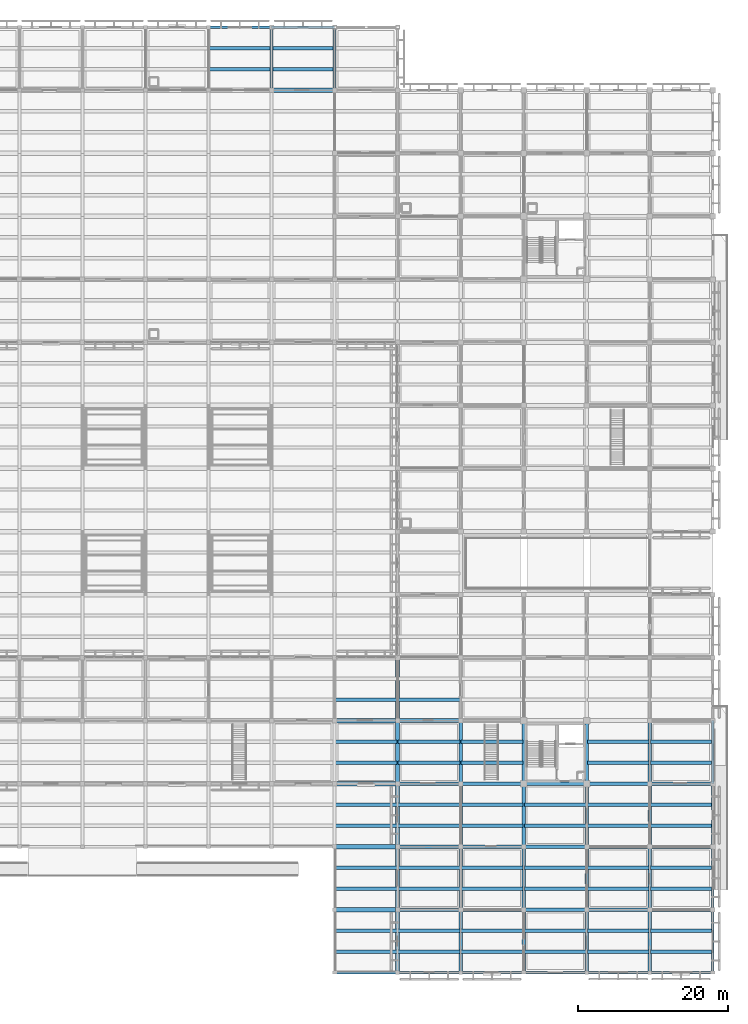
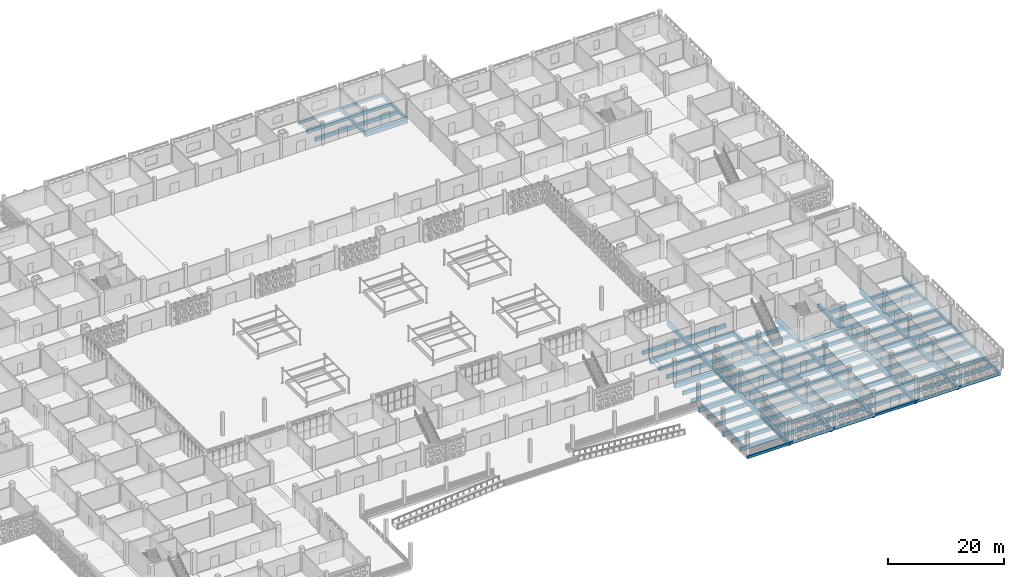
# One storey, part 36 of 129: 108 beams.
"""IFC4 building model written with IfcOpenShell, lengths in metres."""

from ifc_helpers import new_model, si_unit, direction, frame, origin, origin_2d, place, context, subcontext, project, spatial, rectangle, extrude, material, material_profile, profile_set, type_object, element, save


model = new_model("IFC4")

# Units and contexts
model_context = context("Model", 3, precision=1e-05, world=origin(), true_north=direction((0.0, 1.0)))
body_context = subcontext(model_context, "Body", "Model", "MODEL_VIEW")
ifc_project = project(units=[si_unit("LENGTHUNIT", "METRE"), si_unit("AREAUNIT", "SQUARE_METRE"), si_unit("VOLUMEUNIT", "CUBIC_METRE"), si_unit("PLANEANGLEUNIT", "RADIAN"), si_unit("MASSUNIT", "GRAM", prefix="KILO")], contexts=[model_context])

# Site, building, storey
site_placement = place(None, origin())
site = spatial("IfcSite", under=ifc_project, at=site_placement, CompositionType="ELEMENT")
building_placement = place(site_placement, origin())
building = spatial("IfcBuilding", under=site, at=building_placement, Name="Varnapada Polytechnic", CompositionType="ELEMENT")
storey_placement = place(building_placement, origin())
storey = spatial("IfcBuildingStorey", under=building, at=storey_placement, Name="L00", CompositionType="ELEMENT", Elevation=0.0)

# Beams
ifc_material = material(Name="Concrete C40/50", Category="concrete")
ifc_material_profile_1 = material_profile(ifc_material, rectangle(XDim=0.449951171875, YDim=0.75, at=origin_2d()), Name="RC 450x750")
ifc_profile_set_1 = profile_set([ifc_material_profile_1], Name="Concrete C40/50")
beam_type_1 = type_object("IfcBeamType", Name="Basement/podium secondary beam BB-01 (RC 450x750)", PredefinedType="BEAM", material=ifc_profile_set_1)
for number, where, z_axis, x_axis, name in (
    (1, (109.280029296875, 120.39990234375, -0.695068359375), (1.0, 0.0, 0.0), (0.0, 1.0, 0.0), "L00 floor joist 14/15.1"),
    (2, (109.280029296875, 123.199951171875, -0.695068359375), (1.0, 0.0, 0.0), (0.0, 1.0, 0.0), "L00 floor joist 14/15.2"),
    (3, (117.679931640625, 120.39990234375, -0.695068359375), (1.0, 0.0, 0.0), (0.0, 1.0, 0.0), "L00 floor joist 15/15.1"),
    (4, (117.679931640625, 123.199951171875, -0.695068359375), (1.0, 0.0, 0.0), (0.0, 1.0, 0.0), "L00 floor joist 15/15.2"),
    (5, (126.080078125, 2.800048828125, -0.675048828125), (1.0, 0.0, 0.0), (0.0, 1.0, 0.0), "L00 floor joist 16/1.1"),
    (6, (126.080078125, 5.60009765625, -0.675048828125), (1.0, 0.0, 0.0), (0.0, 1.0, 0.0), "L00 floor joist 16/1.2"),
    (7, (126.080078125, 11.199951171875, -0.675048828125), (1.0, 0.0, 0.0), (0.0, 1.0, 0.0), "L00 floor joist 16/2.1"),
    (8, (126.080078125, 14.0, -0.675048828125), (1.0, 0.0, 0.0), (0.0, 1.0, 0.0), "L00 floor joist 16/2.2"),
    (9, (126.080078125, 19.60009765625, -0.675048828125), (1.0, 0.0, 0.0), (0.0, 1.0, 0.0), "L00 floor joist 16/3.1"),
    (10, (126.080078125, 22.39990234375, -0.675048828125), (1.0, 0.0, 0.0), (0.0, 1.0, 0.0), "L00 floor joist 16/3.2"),
    (11, (126.080078125, 28.0, -0.675048828125), (1.0, 0.0, 0.0), (0.0, 1.0, 0.0), "L00 floor joist 16/4.1"),
    (12, (126.080078125, 30.800048828125, -0.675048828125), (1.0, 0.0, 0.0), (0.0, 1.0, 0.0), "L00 floor joist 16/4.2"),
    (13, (126.080078125, 36.39990234375, -0.675048828125), (1.0, 0.0, 0.0), (0.0, 1.0, 0.0), "L00 floor joist 16/5.1"),
    (14, (134.47998046875, 2.800048828125, -0.675048828125), (1.0, 0.0, 0.0), (0.0, 1.0, 0.0), "L00 floor joist 17/1.1"),
    (15, (134.47998046875, 5.60009765625, -0.675048828125), (1.0, 0.0, 0.0), (0.0, 1.0, 0.0), "L00 floor joist 17/1.2"),
    (16, (134.47998046875, 11.199951171875, -0.675048828125), (1.0, 0.0, 0.0), (0.0, 1.0, 0.0), "L00 floor joist 17/2.1"),
    (17, (134.47998046875, 14.0, -0.675048828125), (1.0, 0.0, 0.0), (0.0, 1.0, 0.0), "L00 floor joist 17/2.2"),
    (18, (134.47998046875, 19.60009765625, -0.675048828125), (1.0, 0.0, 0.0), (0.0, 1.0, 0.0), "L00 floor joist 17/3.1"),
    (19, (134.47998046875, 22.39990234375, -0.675048828125), (1.0, 0.0, 0.0), (0.0, 1.0, 0.0), "L00 floor joist 17/3.2"),
    (20, (134.47998046875, 28.0, -0.675048828125), (1.0, 0.0, 0.0), (0.0, 1.0, 0.0), "L00 floor joist 17/4.1"),
    (21, (134.47998046875, 30.800048828125, -0.675048828125), (1.0, 0.0, 0.0), (0.0, 1.0, 0.0), "L00 floor joist 17/4.2"),
    (22, (134.47998046875, 36.39990234375, -0.675048828125), (1.0, 0.0, 0.0), (0.0, 1.0, 0.0), "L00 floor joist 17/5.1"),
):
    element("IfcBeam", number, at=place(storey_placement, frame(where, z_axis=z_axis, x_axis=x_axis)), inside=storey, type_object=beam_type_1, Name=name, PredefinedType="BEAM", context=body_context, shape_type="SweptSolid", body=[
        extrude(rectangle(XDim=0.449951171875, YDim=0.75, at=origin_2d()), origin(), (0.0, 0.0, 1.0), 8.239990234375),
    ])
for number, where, z_axis, x_axis, name in (
    (23, (142.8798828125, 2.800048828125, -0.675048828125), (1.0, 0.0, 0.0), (0.0, 1.0, 0.0), "L00 floor joist 18/1.1"),
    (24, (142.8798828125, 5.60009765625, -0.675048828125), (1.0, 0.0, 0.0), (0.0, 1.0, 0.0), "L00 floor joist 18/1.2"),
    (25, (142.8798828125, 11.199951171875, -0.675048828125), (1.0, 0.0, 0.0), (0.0, 1.0, 0.0), "L00 floor joist 18/2.1"),
    (26, (142.8798828125, 14.0, -0.675048828125), (1.0, 0.0, 0.0), (0.0, 1.0, 0.0), "L00 floor joist 18/2.2"),
    (27, (142.8798828125, 19.60009765625, -0.675048828125), (1.0, 0.0, 0.0), (0.0, 1.0, 0.0), "L00 floor joist 18/3.1"),
    (28, (142.8798828125, 22.39990234375, -0.675048828125), (1.0, 0.0, 0.0), (0.0, 1.0, 0.0), "L00 floor joist 18/3.2"),
    (29, (142.8798828125, 28.0, -0.675048828125), (1.0, 0.0, 0.0), (0.0, 1.0, 0.0), "L00 floor joist 18/4.1"),
    (30, (142.8798828125, 30.800048828125, -0.675048828125), (1.0, 0.0, 0.0), (0.0, 1.0, 0.0), "L00 floor joist 18/4.2"),
):
    element("IfcBeam", number, at=place(storey_placement, frame(where, z_axis=z_axis, x_axis=x_axis)), inside=storey, type_object=beam_type_1, Name=name, PredefinedType="BEAM", context=body_context, shape_type="SweptSolid", body=[
        extrude(rectangle(XDim=0.449951171875, YDim=0.75, at=origin_2d()), origin(), (0.0, 0.0, 1.0), 8.240234375),
    ])
for number, where, z_axis, x_axis, name in (
    (31, (151.280029296875, 2.800048828125, -0.675048828125), (1.0, 0.0, 0.0), (0.0, 1.0, 0.0), "L00 floor joist 19/1.1"),
    (32, (151.280029296875, 5.60009765625, -0.675048828125), (1.0, 0.0, 0.0), (0.0, 1.0, 0.0), "L00 floor joist 19/1.2"),
    (33, (151.280029296875, 11.199951171875, -0.675048828125), (1.0, 0.0, 0.0), (0.0, 1.0, 0.0), "L00 floor joist 19/2.1"),
    (34, (151.280029296875, 14.0, -0.675048828125), (1.0, 0.0, 0.0), (0.0, 1.0, 0.0), "L00 floor joist 19/2.2"),
    (35, (151.280029296875, 19.60009765625, -0.675048828125), (1.0, 0.0, 0.0), (0.0, 1.0, 0.0), "L00 floor joist 19/3.1"),
    (36, (151.280029296875, 22.39990234375, -0.675048828125), (1.0, 0.0, 0.0), (0.0, 1.0, 0.0), "L00 floor joist 19/3.2"),
    (37, (159.679931640625, 2.800048828125, -0.675048828125), (1.0, 0.0, 0.0), (0.0, 1.0, 0.0), "L00 floor joist 20/1.1"),
    (38, (159.679931640625, 5.60009765625, -0.675048828125), (1.0, 0.0, 0.0), (0.0, 1.0, 0.0), "L00 floor joist 20/1.2"),
    (39, (159.679931640625, 11.199951171875, -0.675048828125), (1.0, 0.0, 0.0), (0.0, 1.0, 0.0), "L00 floor joist 20/2.1"),
    (40, (159.679931640625, 14.0, -0.675048828125), (1.0, 0.0, 0.0), (0.0, 1.0, 0.0), "L00 floor joist 20/2.2"),
    (41, (159.679931640625, 19.60009765625, -0.675048828125), (1.0, 0.0, 0.0), (0.0, 1.0, 0.0), "L00 floor joist 20/3.1"),
    (42, (159.679931640625, 22.39990234375, -0.675048828125), (1.0, 0.0, 0.0), (0.0, 1.0, 0.0), "L00 floor joist 20/3.2"),
    (43, (159.679931640625, 28.0, -0.675048828125), (1.0, 0.0, 0.0), (0.0, 1.0, 0.0), "L00 floor joist 20/4.1"),
    (44, (159.679931640625, 30.800048828125, -0.675048828125), (1.0, 0.0, 0.0), (0.0, 1.0, 0.0), "L00 floor joist 20/4.2"),
    (45, (168.080078125, 2.800048828125, -0.675048828125), (1.0, 0.0, 0.0), (0.0, 1.0, 0.0), "L00 floor joist 21/1.1"),
    (46, (168.080078125, 5.60009765625, -0.675048828125), (1.0, 0.0, 0.0), (0.0, 1.0, 0.0), "L00 floor joist 21/1.2"),
    (47, (168.080078125, 11.199951171875, -0.675048828125), (1.0, 0.0, 0.0), (0.0, 1.0, 0.0), "L00 floor joist 21/2.1"),
    (48, (168.080078125, 14.0, -0.675048828125), (1.0, 0.0, 0.0), (0.0, 1.0, 0.0), "L00 floor joist 21/2.2"),
    (49, (168.080078125, 19.60009765625, -0.675048828125), (1.0, 0.0, 0.0), (0.0, 1.0, 0.0), "L00 floor joist 21/3.1"),
    (50, (168.080078125, 22.39990234375, -0.675048828125), (1.0, 0.0, 0.0), (0.0, 1.0, 0.0), "L00 floor joist 21/3.2"),
    (51, (168.080078125, 28.0, -0.675048828125), (1.0, 0.0, 0.0), (0.0, 1.0, 0.0), "L00 floor joist 21/4.1"),
    (52, (168.080078125, 30.800048828125, -0.675048828125), (1.0, 0.0, 0.0), (0.0, 1.0, 0.0), "L00 floor joist 21/4.2"),
):
    element("IfcBeam", number, at=place(storey_placement, frame(where, z_axis=z_axis, x_axis=x_axis)), inside=storey, type_object=beam_type_1, Name=name, PredefinedType="BEAM", context=body_context, shape_type="SweptSolid", body=[
        extrude(rectangle(XDim=0.449951171875, YDim=0.75, at=origin_2d()), origin(), (0.0, 0.0, 1.0), 8.239990234375),
    ])
ifc_material_profile_2 = material_profile(ifc_material, rectangle(XDim=0.35009765625, YDim=0.550048828125, at=origin_2d()), Name="RC 350x550")
ifc_profile_set_2 = profile_set([ifc_material_profile_2], Name="Concrete C40/50")
beam_type_2 = type_object("IfcBeamType", Name="Concrete podium spandrel beam SP-01 (RC 350x550)", PredefinedType="SPANDREL", material=ifc_profile_set_2)
beam_1_placement = place(storey_placement, frame((109.199951171875, 126.0, -0.594970703125), z_axis=(1.0, 0.0, 0.0), x_axis=(0.0, 1.0, 0.0)))
element("IfcBeam", 53, at=beam_1_placement, inside=storey, type_object=beam_type_2, Name="L00 beam X 14-15 at Y16", PredefinedType="SPANDREL", context=body_context, shape_type="SweptSolid", body=[
    extrude(rectangle(XDim=0.35009765625, YDim=0.550048828125, at=origin_2d()), origin(), (0.0, 0.0, 1.0), 8.400146484375),
])
for number, where, z_axis, x_axis, name in (
    (54, (117.60009765625, 126.0, -0.594970703125), (1.0, 0.0, 0.0), (0.0, 1.0, 0.0), "L00 beam X 15-16 at Y16"),
    (55, (126.0, 0.0, -0.574951171875), (1.0, 0.0, 0.0), (0.0, 1.0, 0.0), "L00 beam X 16-17 at Y1"),
):
    element("IfcBeam", number, at=place(storey_placement, frame(where, z_axis=z_axis, x_axis=x_axis)), inside=storey, type_object=beam_type_2, Name=name, PredefinedType="SPANDREL", context=body_context, shape_type="SweptSolid", body=[
        extrude(rectangle(XDim=0.35009765625, YDim=0.550048828125, at=origin_2d()), origin(), (0.0, 0.0, 1.0), 8.39990234375),
    ])
beam_2_placement = place(storey_placement, frame((134.39990234375, 0.0, -0.574951171875), z_axis=(1.0, 0.0, 0.0), x_axis=(0.0, 1.0, 0.0)))
element("IfcBeam", 56, at=beam_2_placement, inside=storey, type_object=beam_type_2, Name="L00 beam X 17-18 at Y1", PredefinedType="SPANDREL", context=body_context, shape_type="SweptSolid", body=[
    extrude(rectangle(XDim=0.35009765625, YDim=0.550048828125, at=origin_2d()), origin(), (0.0, 0.0, 1.0), 8.400146484375),
])
beam_3_placement = place(storey_placement, frame((142.800048828125, 0.0, -0.574951171875), z_axis=(1.0, 0.0, 0.0), x_axis=(0.0, 1.0, 0.0)))
element("IfcBeam", 57, at=beam_3_placement, inside=storey, type_object=beam_type_2, Name="L00 beam X 18-19 at Y1", PredefinedType="SPANDREL", context=body_context, shape_type="SweptSolid", body=[
    extrude(rectangle(XDim=0.35009765625, YDim=0.550048828125, at=origin_2d()), origin(), (0.0, 0.0, 1.0), 8.39990234375),
])
beam_4_placement = place(storey_placement, frame((151.199951171875, 0.0, -0.574951171875), z_axis=(1.0, 0.0, 0.0), x_axis=(0.0, 1.0, 0.0)))
element("IfcBeam", 58, at=beam_4_placement, inside=storey, type_object=beam_type_2, Name="L00 beam X 19-20 at Y1", PredefinedType="SPANDREL", context=body_context, shape_type="SweptSolid", body=[
    extrude(rectangle(XDim=0.35009765625, YDim=0.550048828125, at=origin_2d()), origin(), (0.0, 0.0, 1.0), 8.400146484375),
])
for number, where, z_axis, x_axis, name in (
    (59, (159.60009765625, 0.0, -0.574951171875), (1.0, 0.0, 0.0), (0.0, 1.0, 0.0), "L00 beam X 20-21 at Y1"),
    (60, (168.0, 0.0, -0.574951171875), (1.0, 0.0, 0.0), (0.0, 1.0, 0.0), "L00 beam X 21-22 at Y1"),
    (61, (176.39990234375, 0.0, -0.574951171875), (0.0, 1.0, 0.0), (-1.0, 0.0, 0.0), "L00 beam Y 1-2 at X22"),
):
    element("IfcBeam", number, at=place(storey_placement, frame(where, z_axis=z_axis, x_axis=x_axis)), inside=storey, type_object=beam_type_2, Name=name, PredefinedType="SPANDREL", context=body_context, shape_type="SweptSolid", body=[
        extrude(rectangle(XDim=0.35009765625, YDim=0.550048828125, at=origin_2d()), origin(), (0.0, 0.0, 1.0), 8.39990234375),
    ])
beam_5_placement = place(storey_placement, frame((176.39990234375, 8.39990234375, -0.574951171875), z_axis=(0.0, 1.0, 0.0), x_axis=(-1.0, 0.0, 0.0)))
element("IfcBeam", 62, at=beam_5_placement, inside=storey, type_object=beam_type_2, Name="L00 beam Y 2-3 at X22", PredefinedType="SPANDREL", context=body_context, shape_type="SweptSolid", body=[
    extrude(rectangle(XDim=0.35009765625, YDim=0.550048828125, at=origin_2d()), origin(), (0.0, 0.0, 1.0), 8.400146484375),
])
beam_6_placement = place(storey_placement, frame((176.39990234375, 16.800048828125, -0.574951171875), z_axis=(0.0, 1.0, 0.0), x_axis=(-1.0, 0.0, 0.0)))
element("IfcBeam", 63, at=beam_6_placement, inside=storey, type_object=beam_type_2, Name="L00 beam Y 3-4 at X22", PredefinedType="SPANDREL", context=body_context, shape_type="SweptSolid", body=[
    extrude(rectangle(XDim=0.35009765625, YDim=0.550048828125, at=origin_2d()), origin(), (0.0, 0.0, 1.0), 8.39990234375),
])
beam_7_placement = place(storey_placement, frame((176.39990234375, 25.199951171875, -0.574951171875), z_axis=(0.0, 1.0, 0.0), x_axis=(-1.0, 0.0, 0.0)))
element("IfcBeam", 64, at=beam_7_placement, inside=storey, type_object=beam_type_2, Name="L00 beam Y 4-5 at X22", PredefinedType="SPANDREL", context=body_context, shape_type="SweptSolid", body=[
    extrude(rectangle(XDim=0.35009765625, YDim=0.550048828125, at=origin_2d()), origin(), (0.0, 0.0, 1.0), 8.400146484375),
])
ifc_material_profile_3 = material_profile(ifc_material, rectangle(XDim=0.39990234375, YDim=0.64990234375, at=origin_2d()), Name="RC 400x650")
ifc_profile_set_3 = profile_set([ifc_material_profile_3], Name="Concrete C40/50")
beam_type_3 = type_object("IfcBeamType", Name="Podium framing beam BB-02 (RC 400x650)", PredefinedType="BEAM", material=ifc_profile_set_3)
for number, where, z_axis, x_axis, name in (
    (65, (117.60009765625, 117.60009765625, -0.64501953125), (0.0, 1.0, 0.0), (-1.0, 0.0, 0.0), "L00 beam Y 15-16 at X15"),
    (66, (126.0, 117.60009765625, -0.64501953125), (0.0, 1.0, 0.0), (-1.0, 0.0, 0.0), "L00 beam Y 15-16 at X16"),
):
    element("IfcBeam", number, at=place(storey_placement, frame(where, z_axis=z_axis, x_axis=x_axis)), inside=storey, type_object=beam_type_3, Name=name, PredefinedType="BEAM", context=body_context, shape_type="SweptSolid", body=[
        extrude(rectangle(XDim=0.39990234375, YDim=0.64990234375, at=origin_2d()), origin(), (0.0, 0.0, 1.0), 8.39990234375),
    ])
ifc_material_profile_4 = material_profile(ifc_material, rectangle(XDim=0.5, YDim=0.800048828125, at=origin_2d()), Name="RC 500x800")
ifc_profile_set_4 = profile_set([ifc_material_profile_4], Name="Concrete C40/50")
beam_type_4 = type_object("IfcBeamType", Name="Refectory podium girder BB-03 (RC 500x800)", PredefinedType="BEAM", material=ifc_profile_set_4)
beam_8_placement = place(storey_placement, frame((134.39990234375, 0.0, -0.699951171875), z_axis=(0.0, 1.0, 0.0), x_axis=(-1.0, 0.0, 0.0)))
element("IfcBeam", 67, at=beam_8_placement, inside=storey, type_object=beam_type_4, Name="L00 beam Y 1-2 at X17", PredefinedType="BEAM", context=body_context, shape_type="SweptSolid", body=[
    extrude(rectangle(XDim=0.5, YDim=0.800048828125, at=origin_2d()), origin(), (0.0, 0.0, 1.0), 8.39990234375),
])
beam_9_placement = place(storey_placement, frame((134.39990234375, 8.39990234375, -0.699951171875), z_axis=(0.0, 1.0, 0.0), x_axis=(-1.0, 0.0, 0.0)))
element("IfcBeam", 68, at=beam_9_placement, inside=storey, type_object=beam_type_4, Name="L00 beam Y 2-3 at X17", PredefinedType="BEAM", context=body_context, shape_type="SweptSolid", body=[
    extrude(rectangle(XDim=0.5, YDim=0.800048828125, at=origin_2d()), origin(), (0.0, 0.0, 1.0), 8.400146484375),
])
beam_10_placement = place(storey_placement, frame((134.39990234375, 16.800048828125, -0.699951171875), z_axis=(0.0, 1.0, 0.0), x_axis=(-1.0, 0.0, 0.0)))
element("IfcBeam", 69, at=beam_10_placement, inside=storey, type_object=beam_type_4, Name="L00 beam Y 3-4 at X17", PredefinedType="BEAM", context=body_context, shape_type="SweptSolid", body=[
    extrude(rectangle(XDim=0.5, YDim=0.800048828125, at=origin_2d()), origin(), (0.0, 0.0, 1.0), 8.39990234375),
])
beam_11_placement = place(storey_placement, frame((134.39990234375, 25.199951171875, -0.699951171875), z_axis=(0.0, 1.0, 0.0), x_axis=(-1.0, 0.0, 0.0)))
element("IfcBeam", 70, at=beam_11_placement, inside=storey, type_object=beam_type_4, Name="L00 beam Y 4-5 at X17", PredefinedType="BEAM", context=body_context, shape_type="SweptSolid", body=[
    extrude(rectangle(XDim=0.5, YDim=0.800048828125, at=origin_2d()), origin(), (0.0, 0.0, 1.0), 8.400146484375),
])
for number, where, z_axis, x_axis, name in (
    (71, (134.39990234375, 33.60009765625, -0.699951171875), (0.0, 1.0, 0.0), (-1.0, 0.0, 0.0), "L00 beam Y 5-6 at X17"),
    (72, (142.800048828125, 0.0, -0.699951171875), (0.0, 1.0, 0.0), (-1.0, 0.0, 0.0), "L00 beam Y 1-2 at X18"),
):
    element("IfcBeam", number, at=place(storey_placement, frame(where, z_axis=z_axis, x_axis=x_axis)), inside=storey, type_object=beam_type_4, Name=name, PredefinedType="BEAM", context=body_context, shape_type="SweptSolid", body=[
        extrude(rectangle(XDim=0.5, YDim=0.800048828125, at=origin_2d()), origin(), (0.0, 0.0, 1.0), 8.39990234375),
    ])
beam_12_placement = place(storey_placement, frame((142.800048828125, 8.39990234375, -0.699951171875), z_axis=(0.0, 1.0, 0.0), x_axis=(-1.0, 0.0, 0.0)))
element("IfcBeam", 73, at=beam_12_placement, inside=storey, type_object=beam_type_4, Name="L00 beam Y 2-3 at X18", PredefinedType="BEAM", context=body_context, shape_type="SweptSolid", body=[
    extrude(rectangle(XDim=0.5, YDim=0.800048828125, at=origin_2d()), origin(), (0.0, 0.0, 1.0), 8.400146484375),
])
beam_13_placement = place(storey_placement, frame((142.800048828125, 16.800048828125, -0.699951171875), z_axis=(0.0, 1.0, 0.0), x_axis=(-1.0, 0.0, 0.0)))
element("IfcBeam", 74, at=beam_13_placement, inside=storey, type_object=beam_type_4, Name="L00 beam Y 3-4 at X18", PredefinedType="BEAM", context=body_context, shape_type="SweptSolid", body=[
    extrude(rectangle(XDim=0.5, YDim=0.800048828125, at=origin_2d()), origin(), (0.0, 0.0, 1.0), 8.39990234375),
])
beam_14_placement = place(storey_placement, frame((142.800048828125, 25.199951171875, -0.699951171875), z_axis=(0.0, 1.0, 0.0), x_axis=(-1.0, 0.0, 0.0)))
element("IfcBeam", 75, at=beam_14_placement, inside=storey, type_object=beam_type_4, Name="L00 beam Y 4-5 at X18", PredefinedType="BEAM", context=body_context, shape_type="SweptSolid", body=[
    extrude(rectangle(XDim=0.5, YDim=0.800048828125, at=origin_2d()), origin(), (0.0, 0.0, 1.0), 8.400146484375),
])
beam_15_placement = place(storey_placement, frame((151.199951171875, 0.0, -0.699951171875), z_axis=(0.0, 1.0, 0.0), x_axis=(-1.0, 0.0, 0.0)))
element("IfcBeam", 76, at=beam_15_placement, inside=storey, type_object=beam_type_4, Name="L00 beam Y 1-2 at X19", PredefinedType="BEAM", context=body_context, shape_type="SweptSolid", body=[
    extrude(rectangle(XDim=0.5, YDim=0.800048828125, at=origin_2d()), origin(), (0.0, 0.0, 1.0), 8.39990234375),
])
beam_16_placement = place(storey_placement, frame((151.199951171875, 8.39990234375, -0.699951171875), z_axis=(0.0, 1.0, 0.0), x_axis=(-1.0, 0.0, 0.0)))
element("IfcBeam", 77, at=beam_16_placement, inside=storey, type_object=beam_type_4, Name="L00 beam Y 2-3 at X19", PredefinedType="BEAM", context=body_context, shape_type="SweptSolid", body=[
    extrude(rectangle(XDim=0.5, YDim=0.800048828125, at=origin_2d()), origin(), (0.0, 0.0, 1.0), 8.400146484375),
])
beam_17_placement = place(storey_placement, frame((151.199951171875, 16.800048828125, -0.699951171875), z_axis=(0.0, 1.0, 0.0), x_axis=(-1.0, 0.0, 0.0)))
element("IfcBeam", 78, at=beam_17_placement, inside=storey, type_object=beam_type_4, Name="L00 beam Y 3-4 at X19", PredefinedType="BEAM", context=body_context, shape_type="SweptSolid", body=[
    extrude(rectangle(XDim=0.5, YDim=0.800048828125, at=origin_2d()), origin(), (0.0, 0.0, 1.0), 8.39990234375),
])
beam_18_placement = place(storey_placement, frame((151.199951171875, 25.199951171875, -0.699951171875), z_axis=(0.0, 1.0, 0.0), x_axis=(-1.0, 0.0, 0.0)))
element("IfcBeam", 79, at=beam_18_placement, inside=storey, type_object=beam_type_4, Name="L00 beam Y 4-5 at X19", PredefinedType="BEAM", context=body_context, shape_type="SweptSolid", body=[
    extrude(rectangle(XDim=0.5, YDim=0.800048828125, at=origin_2d()), origin(), (0.0, 0.0, 1.0), 8.400146484375),
])
beam_19_placement = place(storey_placement, frame((159.60009765625, 0.0, -0.699951171875), z_axis=(0.0, 1.0, 0.0), x_axis=(-1.0, 0.0, 0.0)))
element("IfcBeam", 80, at=beam_19_placement, inside=storey, type_object=beam_type_4, Name="L00 beam Y 1-2 at X20", PredefinedType="BEAM", context=body_context, shape_type="SweptSolid", body=[
    extrude(rectangle(XDim=0.5, YDim=0.800048828125, at=origin_2d()), origin(), (0.0, 0.0, 1.0), 8.39990234375),
])
beam_20_placement = place(storey_placement, frame((159.60009765625, 8.39990234375, -0.699951171875), z_axis=(0.0, 1.0, 0.0), x_axis=(-1.0, 0.0, 0.0)))
element("IfcBeam", 81, at=beam_20_placement, inside=storey, type_object=beam_type_4, Name="L00 beam Y 2-3 at X20", PredefinedType="BEAM", context=body_context, shape_type="SweptSolid", body=[
    extrude(rectangle(XDim=0.5, YDim=0.800048828125, at=origin_2d()), origin(), (0.0, 0.0, 1.0), 8.400146484375),
])
beam_21_placement = place(storey_placement, frame((159.60009765625, 16.800048828125, -0.699951171875), z_axis=(0.0, 1.0, 0.0), x_axis=(-1.0, 0.0, 0.0)))
element("IfcBeam", 82, at=beam_21_placement, inside=storey, type_object=beam_type_4, Name="L00 beam Y 3-4 at X20", PredefinedType="BEAM", context=body_context, shape_type="SweptSolid", body=[
    extrude(rectangle(XDim=0.5, YDim=0.800048828125, at=origin_2d()), origin(), (0.0, 0.0, 1.0), 8.39990234375),
])
beam_22_placement = place(storey_placement, frame((159.60009765625, 25.199951171875, -0.699951171875), z_axis=(0.0, 1.0, 0.0), x_axis=(-1.0, 0.0, 0.0)))
element("IfcBeam", 83, at=beam_22_placement, inside=storey, type_object=beam_type_4, Name="L00 beam Y 4-5 at X20", PredefinedType="BEAM", context=body_context, shape_type="SweptSolid", body=[
    extrude(rectangle(XDim=0.5, YDim=0.800048828125, at=origin_2d()), origin(), (0.0, 0.0, 1.0), 8.400146484375),
])
beam_23_placement = place(storey_placement, frame((168.0, 0.0, -0.699951171875), z_axis=(0.0, 1.0, 0.0), x_axis=(-1.0, 0.0, 0.0)))
element("IfcBeam", 84, at=beam_23_placement, inside=storey, type_object=beam_type_4, Name="L00 beam Y 1-2 at X21", PredefinedType="BEAM", context=body_context, shape_type="SweptSolid", body=[
    extrude(rectangle(XDim=0.5, YDim=0.800048828125, at=origin_2d()), origin(), (0.0, 0.0, 1.0), 8.39990234375),
])
beam_24_placement = place(storey_placement, frame((168.0, 8.39990234375, -0.699951171875), z_axis=(0.0, 1.0, 0.0), x_axis=(-1.0, 0.0, 0.0)))
element("IfcBeam", 85, at=beam_24_placement, inside=storey, type_object=beam_type_4, Name="L00 beam Y 2-3 at X21", PredefinedType="BEAM", context=body_context, shape_type="SweptSolid", body=[
    extrude(rectangle(XDim=0.5, YDim=0.800048828125, at=origin_2d()), origin(), (0.0, 0.0, 1.0), 8.400146484375),
])
beam_25_placement = place(storey_placement, frame((168.0, 16.800048828125, -0.699951171875), z_axis=(0.0, 1.0, 0.0), x_axis=(-1.0, 0.0, 0.0)))
element("IfcBeam", 86, at=beam_25_placement, inside=storey, type_object=beam_type_4, Name="L00 beam Y 3-4 at X21", PredefinedType="BEAM", context=body_context, shape_type="SweptSolid", body=[
    extrude(rectangle(XDim=0.5, YDim=0.800048828125, at=origin_2d()), origin(), (0.0, 0.0, 1.0), 8.39990234375),
])
beam_26_placement = place(storey_placement, frame((168.0, 25.199951171875, -0.699951171875), z_axis=(0.0, 1.0, 0.0), x_axis=(-1.0, 0.0, 0.0)))
element("IfcBeam", 87, at=beam_26_placement, inside=storey, type_object=beam_type_4, Name="L00 beam Y 4-5 at X21", PredefinedType="BEAM", context=body_context, shape_type="SweptSolid", body=[
    extrude(rectangle(XDim=0.5, YDim=0.800048828125, at=origin_2d()), origin(), (0.0, 0.0, 1.0), 8.400146484375),
])
ifc_material_profile_5 = material_profile(ifc_material, rectangle(XDim=0.5, YDim=0.85009765625, at=origin_2d()), Name="RC 500x850")
ifc_profile_set_5 = profile_set([ifc_material_profile_5], Name="Concrete C40/50")
beam_type_5 = type_object("IfcBeamType", Name="Standard podium primary girder BG-02 (RC 500x850)", PredefinedType="T_BEAM", material=ifc_profile_set_5)
for number, where, z_axis, x_axis, name in (
    (88, (134.39990234375, 8.39990234375, -0.72509765625), (1.0, 0.0, 0.0), (0.0, 1.0, 0.0), "L00 beam X 17-18 at Y2"),
    (89, (134.39990234375, 16.800048828125, -0.72509765625), (1.0, 0.0, 0.0), (0.0, 1.0, 0.0), "L00 beam X 17-18 at Y3"),
    (90, (134.39990234375, 25.199951171875, -0.72509765625), (1.0, 0.0, 0.0), (0.0, 1.0, 0.0), "L00 beam X 17-18 at Y4"),
    (91, (134.39990234375, 33.60009765625, -0.72509765625), (1.0, 0.0, 0.0), (0.0, 1.0, 0.0), "L00 beam X 17-18 at Y5"),
):
    element("IfcBeam", number, at=place(storey_placement, frame(where, z_axis=z_axis, x_axis=x_axis)), inside=storey, type_object=beam_type_5, Name=name, PredefinedType="T_BEAM", context=body_context, shape_type="SweptSolid", body=[
        extrude(rectangle(XDim=0.5, YDim=0.85009765625, at=origin_2d()), origin(), (0.0, 0.0, 1.0), 8.400146484375),
    ])
for number, where, z_axis, x_axis, name in (
    (92, (142.800048828125, 8.39990234375, -0.72509765625), (1.0, 0.0, 0.0), (0.0, 1.0, 0.0), "L00 beam X 18-19 at Y2"),
    (93, (142.800048828125, 16.800048828125, -0.72509765625), (1.0, 0.0, 0.0), (0.0, 1.0, 0.0), "L00 beam X 18-19 at Y3"),
    (94, (142.800048828125, 25.199951171875, -0.72509765625), (1.0, 0.0, 0.0), (0.0, 1.0, 0.0), "L00 beam X 18-19 at Y4"),
):
    element("IfcBeam", number, at=place(storey_placement, frame(where, z_axis=z_axis, x_axis=x_axis)), inside=storey, type_object=beam_type_5, Name=name, PredefinedType="T_BEAM", context=body_context, shape_type="SweptSolid", body=[
        extrude(rectangle(XDim=0.5, YDim=0.85009765625, at=origin_2d()), origin(), (0.0, 0.0, 1.0), 8.39990234375),
    ])
for number, where, z_axis, x_axis, name in (
    (95, (151.199951171875, 8.39990234375, -0.72509765625), (1.0, 0.0, 0.0), (0.0, 1.0, 0.0), "L00 beam X 19-20 at Y2"),
    (96, (151.199951171875, 16.800048828125, -0.72509765625), (1.0, 0.0, 0.0), (0.0, 1.0, 0.0), "L00 beam X 19-20 at Y3"),
    (97, (151.199951171875, 25.199951171875, -0.72509765625), (1.0, 0.0, 0.0), (0.0, 1.0, 0.0), "L00 beam X 19-20 at Y4"),
):
    element("IfcBeam", number, at=place(storey_placement, frame(where, z_axis=z_axis, x_axis=x_axis)), inside=storey, type_object=beam_type_5, Name=name, PredefinedType="T_BEAM", context=body_context, shape_type="SweptSolid", body=[
        extrude(rectangle(XDim=0.5, YDim=0.85009765625, at=origin_2d()), origin(), (0.0, 0.0, 1.0), 8.400146484375),
    ])
for number, where, z_axis, x_axis, name in (
    (98, (159.60009765625, 8.39990234375, -0.72509765625), (1.0, 0.0, 0.0), (0.0, 1.0, 0.0), "L00 beam X 20-21 at Y2"),
    (99, (159.60009765625, 16.800048828125, -0.72509765625), (1.0, 0.0, 0.0), (0.0, 1.0, 0.0), "L00 beam X 20-21 at Y3"),
    (100, (159.60009765625, 25.199951171875, -0.72509765625), (1.0, 0.0, 0.0), (0.0, 1.0, 0.0), "L00 beam X 20-21 at Y4"),
    (101, (168.0, 8.39990234375, -0.72509765625), (1.0, 0.0, 0.0), (0.0, 1.0, 0.0), "L00 beam X 21-22 at Y2"),
    (102, (168.0, 16.800048828125, -0.72509765625), (1.0, 0.0, 0.0), (0.0, 1.0, 0.0), "L00 beam X 21-22 at Y3"),
    (103, (168.0, 25.199951171875, -0.72509765625), (1.0, 0.0, 0.0), (0.0, 1.0, 0.0), "L00 beam X 21-22 at Y4"),
):
    element("IfcBeam", number, at=place(storey_placement, frame(where, z_axis=z_axis, x_axis=x_axis)), inside=storey, type_object=beam_type_5, Name=name, PredefinedType="T_BEAM", context=body_context, shape_type="SweptSolid", body=[
        extrude(rectangle(XDim=0.5, YDim=0.85009765625, at=origin_2d()), origin(), (0.0, 0.0, 1.0), 8.39990234375),
    ])
ifc_material_profile_6 = material_profile(ifc_material, rectangle(XDim=0.60009765625, YDim=0.949951171875, at=origin_2d()), Name="RC 600x950")
ifc_profile_set_6 = profile_set([ifc_material_profile_6], Name="Concrete C40/50")
beam_type_6 = type_object("IfcBeamType", Name="Workshop podium heavy girder BG-03 (RC 600x950)", PredefinedType="T_BEAM", material=ifc_profile_set_6)
for number, where, z_axis, x_axis, name in (
    (104, (117.60009765625, 117.60009765625, -0.794921875), (1.0, 0.0, 0.0), (0.0, 1.0, 0.0), "L00 beam X 15-16 at Y15"),
    (105, (126.0, 8.39990234375, -0.77490234375), (1.0, 0.0, 0.0), (0.0, 1.0, 0.0), "L00 beam X 16-17 at Y2"),
    (106, (126.0, 16.800048828125, -0.77490234375), (1.0, 0.0, 0.0), (0.0, 1.0, 0.0), "L00 beam X 16-17 at Y3"),
    (107, (126.0, 25.199951171875, -0.77490234375), (1.0, 0.0, 0.0), (0.0, 1.0, 0.0), "L00 beam X 16-17 at Y4"),
    (108, (126.0, 33.60009765625, -0.77490234375), (1.0, 0.0, 0.0), (0.0, 1.0, 0.0), "L00 beam X 16-17 at Y5"),
):
    element("IfcBeam", number, at=place(storey_placement, frame(where, z_axis=z_axis, x_axis=x_axis)), inside=storey, type_object=beam_type_6, Name=name, PredefinedType="T_BEAM", context=body_context, shape_type="SweptSolid", body=[
        extrude(rectangle(XDim=0.60009765625, YDim=0.949951171875, at=origin_2d()), origin(), (0.0, 0.0, 1.0), 8.39990234375),
    ])

save(model, "model.ifc")
